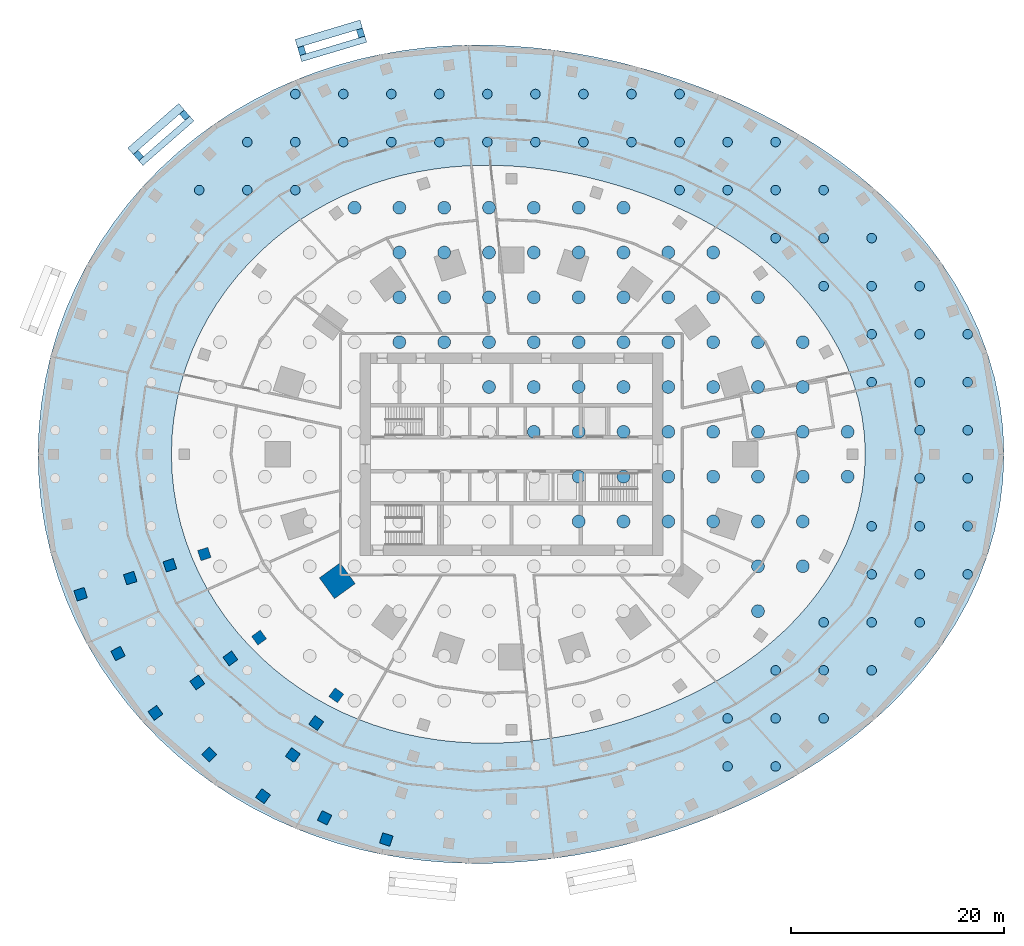
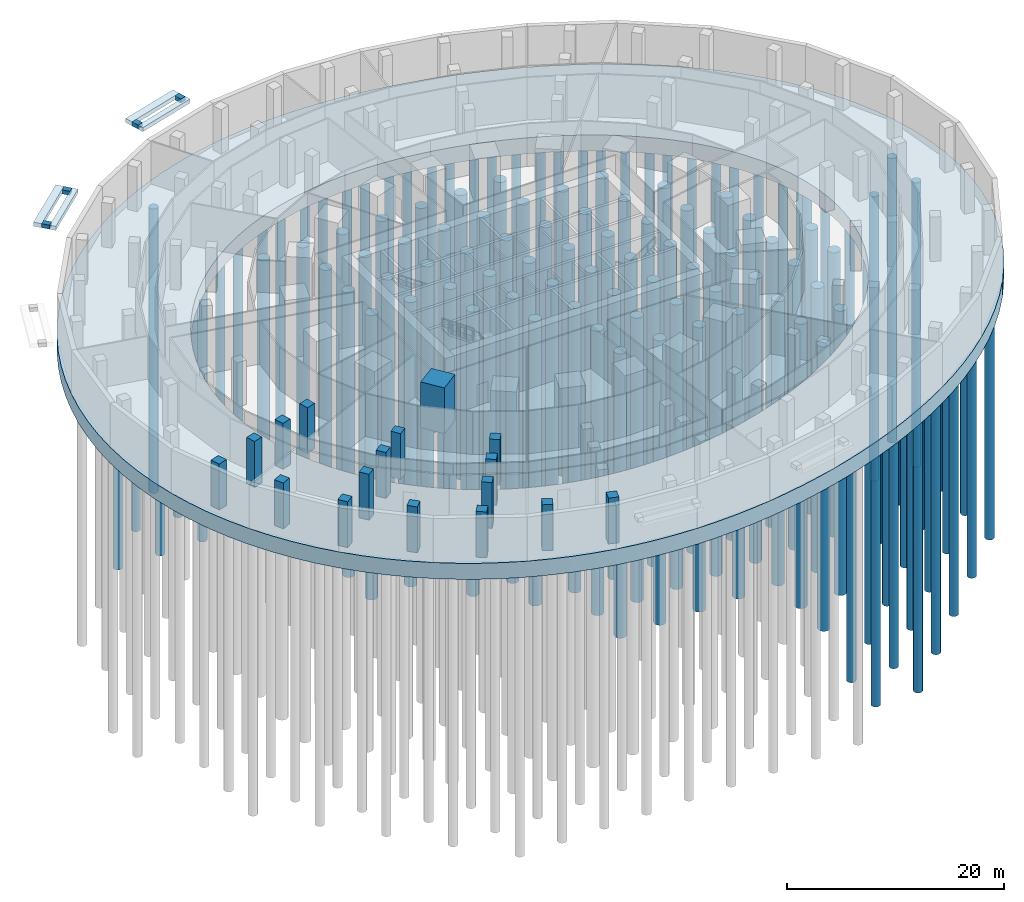
# One storey, part 2 of 11: 127 piles, 17 columns, 9 footings.
"""IFC4 building model written with IfcOpenShell, lengths in metres."""

from ifc_helpers import new_model, si_unit, direction, frame, origin, origin_2d, place, context, subcontext, project, spatial, polyline, rectangle, circle, outline, extrude, material, layer, layer_set, material_profile, profile_set, type_object, element, save


model = new_model("IFC4")

# Units and contexts
model_context = context("Model", 3, precision=1e-05, world=origin(), true_north=direction((0.0, 1.0)))
body_context = subcontext(model_context, "Body", "Model", "MODEL_VIEW")
ifc_project = project(units=[si_unit("LENGTHUNIT", "METRE"), si_unit("AREAUNIT", "SQUARE_METRE"), si_unit("VOLUMEUNIT", "CUBIC_METRE"), si_unit("PLANEANGLEUNIT", "RADIAN"), si_unit("MASSUNIT", "GRAM", prefix="KILO")], contexts=[model_context])

# Site, building, storey
site_placement = place(None, origin())
site = spatial("IfcSite", under=ifc_project, at=site_placement, CompositionType="ELEMENT")
building_placement = place(site_placement, origin())
building = spatial("IfcBuilding", under=site, at=building_placement, Name="Marramba Exchange Tower", CompositionType="ELEMENT")
storey_placement = place(building_placement, frame((0.0, 0.0, -5.0)))
storey = spatial("IfcBuildingStorey", under=building, at=storey_placement, Name="B1", CompositionType="ELEMENT", Elevation=-5.0)

# Piles
ifc_material_1 = material(Name="Concrete N50", Category="concrete")
ifc_material_profile_1 = material_profile(ifc_material_1, circle(Radius=0.60009765625, at=origin_2d()), Name="BP D1200")
ifc_profile_set_1 = profile_set([ifc_material_profile_1], Name="Concrete N50")
pile_type_1 = type_object("IfcPileType", Name="Bored pile D1200", PredefinedType="BORED", material=ifc_profile_set_1)
for number, where, z_axis, x_axis, name in (
    (1, (-14.699951171875, 23.10009765625, -3.14990234375), (0.0, 0.0, -1.0), (1.0, 0.0, 0.0), "Pile T036"),
    (2, (-10.5, 10.5, -3.14990234375), (0.0, 0.0, -1.0), (1.0, 0.0, 0.0), "Pile T045"),
    (3, (-10.5, 14.699951171875, -3.14990234375), (0.0, 0.0, -1.0), (1.0, 0.0, 0.0), "Pile T046"),
    (4, (-10.5, 18.89990234375, -3.14990234375), (0.0, 0.0, -1.0), (1.0, 0.0, 0.0), "Pile T047"),
    (5, (-10.5, 23.10009765625, -3.14990234375), (0.0, 0.0, -1.0), (1.0, 0.0, 0.0), "Pile T048"),
    (6, (-6.300048828125, 10.5, -3.14990234375), (0.0, 0.0, -1.0), (1.0, 0.0, 0.0), "Pile T057"),
    (7, (-6.300048828125, 14.699951171875, -3.14990234375), (0.0, 0.0, -1.0), (1.0, 0.0, 0.0), "Pile T058"),
    (8, (-6.300048828125, 18.89990234375, -3.14990234375), (0.0, 0.0, -1.0), (1.0, 0.0, 0.0), "Pile T059"),
    (9, (-6.300048828125, 23.10009765625, -3.14990234375), (0.0, 0.0, -1.0), (1.0, 0.0, 0.0), "Pile T060"),
    (10, (-2.10009765625, 6.300048828125, -3.14990234375), (0.0, 0.0, -1.0), (1.0, 0.0, 0.0), "Pile T068"),
    (11, (-2.10009765625, 10.5, -3.14990234375), (0.0, 0.0, -1.0), (1.0, 0.0, 0.0), "Pile T069"),
    (12, (-2.10009765625, 14.699951171875, -3.14990234375), (0.0, 0.0, -1.0), (1.0, 0.0, 0.0), "Pile T070"),
    (13, (-2.10009765625, 18.89990234375, -3.14990234375), (0.0, 0.0, -1.0), (1.0, 0.0, 0.0), "Pile T071"),
    (14, (-2.10009765625, 23.10009765625, -3.14990234375), (0.0, 0.0, -1.0), (1.0, 0.0, 0.0), "Pile T072"),
    (15, (2.10009765625, 2.10009765625, -3.14990234375), (0.0, 0.0, -1.0), (1.0, 0.0, 0.0), "Pile T079"),
    (16, (2.10009765625, 6.300048828125, -3.14990234375), (0.0, 0.0, -1.0), (1.0, 0.0, 0.0), "Pile T080"),
    (17, (2.10009765625, 10.5, -3.14990234375), (0.0, 0.0, -1.0), (1.0, 0.0, 0.0), "Pile T081"),
    (18, (2.10009765625, 14.699951171875, -3.14990234375), (0.0, 0.0, -1.0), (1.0, 0.0, 0.0), "Pile T082"),
    (19, (2.10009765625, 18.89990234375, -3.14990234375), (0.0, 0.0, -1.0), (1.0, 0.0, 0.0), "Pile T083"),
    (20, (2.10009765625, 23.10009765625, -3.14990234375), (0.0, 0.0, -1.0), (1.0, 0.0, 0.0), "Pile T084"),
    (21, (6.300048828125, -6.300048828125, -3.14990234375), (0.0, 0.0, -1.0), (1.0, 0.0, 0.0), "Pile T089"),
    (22, (6.300048828125, -2.10009765625, -3.14990234375), (0.0, 0.0, -1.0), (1.0, 0.0, 0.0), "Pile T090"),
    (23, (6.300048828125, 2.10009765625, -3.14990234375), (0.0, 0.0, -1.0), (1.0, 0.0, 0.0), "Pile T091"),
    (24, (6.300048828125, 6.300048828125, -3.14990234375), (0.0, 0.0, -1.0), (1.0, 0.0, 0.0), "Pile T092"),
    (25, (6.300048828125, 10.5, -3.14990234375), (0.0, 0.0, -1.0), (1.0, 0.0, 0.0), "Pile T093"),
    (26, (6.300048828125, 14.699951171875, -3.14990234375), (0.0, 0.0, -1.0), (1.0, 0.0, 0.0), "Pile T094"),
    (27, (6.300048828125, 18.89990234375, -3.14990234375), (0.0, 0.0, -1.0), (1.0, 0.0, 0.0), "Pile T095"),
    (28, (6.300048828125, 23.10009765625, -3.14990234375), (0.0, 0.0, -1.0), (1.0, 0.0, 0.0), "Pile T096"),
    (29, (10.5, -6.300048828125, -3.14990234375), (0.0, 0.0, -1.0), (1.0, 0.0, 0.0), "Pile T101"),
    (30, (10.5, -2.10009765625, -3.14990234375), (0.0, 0.0, -1.0), (1.0, 0.0, 0.0), "Pile T102"),
    (31, (10.5, 2.10009765625, -3.14990234375), (0.0, 0.0, -1.0), (1.0, 0.0, 0.0), "Pile T103"),
    (32, (10.5, 6.300048828125, -3.14990234375), (0.0, 0.0, -1.0), (1.0, 0.0, 0.0), "Pile T104"),
    (33, (10.5, 10.5, -3.14990234375), (0.0, 0.0, -1.0), (1.0, 0.0, 0.0), "Pile T105"),
    (34, (10.5, 14.699951171875, -3.14990234375), (0.0, 0.0, -1.0), (1.0, 0.0, 0.0), "Pile T106"),
    (35, (10.5, 18.89990234375, -3.14990234375), (0.0, 0.0, -1.0), (1.0, 0.0, 0.0), "Pile T107"),
    (36, (10.5, 23.10009765625, -3.14990234375), (0.0, 0.0, -1.0), (1.0, 0.0, 0.0), "Pile T108"),
    (37, (14.699951171875, -6.300048828125, -3.14990234375), (0.0, 0.0, -1.0), (1.0, 0.0, 0.0), "Pile T112"),
    (38, (14.699951171875, -2.10009765625, -3.14990234375), (0.0, 0.0, -1.0), (1.0, 0.0, 0.0), "Pile T113"),
    (39, (14.699951171875, 2.10009765625, -3.14990234375), (0.0, 0.0, -1.0), (1.0, 0.0, 0.0), "Pile T114"),
    (40, (14.699951171875, 6.300048828125, -3.14990234375), (0.0, 0.0, -1.0), (1.0, 0.0, 0.0), "Pile T115"),
    (41, (14.699951171875, 10.5, -3.14990234375), (0.0, 0.0, -1.0), (1.0, 0.0, 0.0), "Pile T116"),
    (42, (14.699951171875, 14.699951171875, -3.14990234375), (0.0, 0.0, -1.0), (1.0, 0.0, 0.0), "Pile T117"),
    (43, (14.699951171875, 18.89990234375, -3.14990234375), (0.0, 0.0, -1.0), (1.0, 0.0, 0.0), "Pile T118"),
    (44, (18.89990234375, -6.300048828125, -3.14990234375), (0.0, 0.0, -1.0), (1.0, 0.0, 0.0), "Pile T122"),
    (45, (18.89990234375, -2.10009765625, -3.14990234375), (0.0, 0.0, -1.0), (1.0, 0.0, 0.0), "Pile T123"),
    (46, (18.89990234375, 2.10009765625, -3.14990234375), (0.0, 0.0, -1.0), (1.0, 0.0, 0.0), "Pile T124"),
    (47, (18.89990234375, 6.300048828125, -3.14990234375), (0.0, 0.0, -1.0), (1.0, 0.0, 0.0), "Pile T125"),
    (48, (18.89990234375, 10.5, -3.14990234375), (0.0, 0.0, -1.0), (1.0, 0.0, 0.0), "Pile T126"),
    (49, (18.89990234375, 14.699951171875, -3.14990234375), (0.0, 0.0, -1.0), (1.0, 0.0, 0.0), "Pile T127"),
    (50, (18.89990234375, 18.89990234375, -3.14990234375), (0.0, 0.0, -1.0), (1.0, 0.0, 0.0), "Pile T128"),
    (51, (23.10009765625, -14.699951171875, -3.14990234375), (0.0, 0.0, -1.0), (1.0, 0.0, 0.0), "Pile T129"),
    (52, (23.10009765625, -10.5, -3.14990234375), (0.0, 0.0, -1.0), (1.0, 0.0, 0.0), "Pile T130"),
    (53, (23.10009765625, -6.300048828125, -3.14990234375), (0.0, 0.0, -1.0), (1.0, 0.0, 0.0), "Pile T131"),
    (54, (23.10009765625, -2.10009765625, -3.14990234375), (0.0, 0.0, -1.0), (1.0, 0.0, 0.0), "Pile T132"),
    (55, (23.10009765625, 2.10009765625, -3.14990234375), (0.0, 0.0, -1.0), (1.0, 0.0, 0.0), "Pile T133"),
    (56, (23.10009765625, 6.300048828125, -3.14990234375), (0.0, 0.0, -1.0), (1.0, 0.0, 0.0), "Pile T134"),
    (57, (23.10009765625, 10.5, -3.14990234375), (0.0, 0.0, -1.0), (1.0, 0.0, 0.0), "Pile T135"),
    (58, (23.10009765625, 14.699951171875, -3.14990234375), (0.0, 0.0, -1.0), (1.0, 0.0, 0.0), "Pile T136"),
    (59, (27.300048828125, -10.5, -3.14990234375), (0.0, 0.0, -1.0), (1.0, 0.0, 0.0), "Pile T137"),
    (60, (27.300048828125, -6.300048828125, -3.14990234375), (0.0, 0.0, -1.0), (1.0, 0.0, 0.0), "Pile T138"),
    (61, (27.300048828125, -2.10009765625, -3.14990234375), (0.0, 0.0, -1.0), (1.0, 0.0, 0.0), "Pile T139"),
    (62, (27.300048828125, 2.10009765625, -3.14990234375), (0.0, 0.0, -1.0), (1.0, 0.0, 0.0), "Pile T140"),
    (63, (27.300048828125, 6.300048828125, -3.14990234375), (0.0, 0.0, -1.0), (1.0, 0.0, 0.0), "Pile T141"),
    (64, (27.300048828125, 10.5, -3.14990234375), (0.0, 0.0, -1.0), (1.0, 0.0, 0.0), "Pile T142"),
    (65, (31.5, -2.10009765625, -3.14990234375), (0.0, 0.0, -1.0), (1.0, 0.0, 0.0), "Pile T143"),
    (66, (31.5, 2.10009765625, -3.14990234375), (0.0, 0.0, -1.0), (1.0, 0.0, 0.0), "Pile T144"),
):
    element("IfcPile", number, at=place(storey_placement, frame(where, z_axis=z_axis, x_axis=x_axis)), inside=storey, type_object=pile_type_1, Name=name, PredefinedType="BORED", context=body_context, shape_type="SweptSolid", body=[
        extrude(circle(Radius=0.60009765625, at=origin_2d()), origin(), (0.0, 0.0, 1.0), 32.0),
    ])
ifc_material_profile_2 = material_profile(ifc_material_1, circle(Radius=0.449951171875, at=origin_2d()), Name="BP D900")
ifc_profile_set_2 = profile_set([ifc_material_profile_2], Name="Concrete N50")
pile_type_2 = type_object("IfcPileType", Name="Bored pile D900", PredefinedType="BORED", material=ifc_profile_set_2)
for number, where, z_axis, x_axis, name in (
    (67, (-29.25, 24.75, -1.949951171875), (0.0, 0.0, -1.0), (1.0, 0.0, 0.0), "Pile P026"),
    (68, (-24.75, 24.75, -1.949951171875), (0.0, 0.0, -1.0), (1.0, 0.0, 0.0), "Pile P031"),
    (69, (-24.75, 29.25, -1.949951171875), (0.0, 0.0, -1.0), (1.0, 0.0, 0.0), "Pile P032"),
    (70, (-20.25, 24.75, -1.949951171875), (0.0, 0.0, -1.0), (1.0, 0.0, 0.0), "Pile P036"),
    (71, (-20.25, 29.25, -1.949951171875), (0.0, 0.0, -1.0), (1.0, 0.0, 0.0), "Pile P037"),
    (72, (-20.25, 33.75, -1.949951171875), (0.0, 0.0, -1.0), (1.0, 0.0, 0.0), "Pile P038"),
    (73, (-15.75, 29.25, -1.949951171875), (0.0, 0.0, -1.0), (1.0, 0.0, 0.0), "Pile P041"),
    (74, (-15.75, 33.75, -1.949951171875), (0.0, 0.0, -1.0), (1.0, 0.0, 0.0), "Pile P042"),
    (75, (-11.25, 29.25, -1.949951171875), (0.0, 0.0, -1.0), (1.0, 0.0, 0.0), "Pile P045"),
    (76, (-11.25, 33.75, -1.949951171875), (0.0, 0.0, -1.0), (1.0, 0.0, 0.0), "Pile P046"),
    (77, (-6.75, 29.25, -1.949951171875), (0.0, 0.0, -1.0), (1.0, 0.0, 0.0), "Pile P049"),
    (78, (-6.75, 33.75, -1.949951171875), (0.0, 0.0, -1.0), (1.0, 0.0, 0.0), "Pile P050"),
    (79, (-2.25, 29.25, -1.949951171875), (0.0, 0.0, -1.0), (1.0, 0.0, 0.0), "Pile P053"),
    (80, (-2.25, 33.75, -1.949951171875), (0.0, 0.0, -1.0), (1.0, 0.0, 0.0), "Pile P054"),
    (81, (2.25, 29.25, -1.949951171875), (0.0, 0.0, -1.0), (1.0, 0.0, 0.0), "Pile P057"),
    (82, (2.25, 33.75, -1.949951171875), (0.0, 0.0, -1.0), (1.0, 0.0, 0.0), "Pile P058"),
    (83, (6.75, 29.25, -1.949951171875), (0.0, 0.0, -1.0), (1.0, 0.0, 0.0), "Pile P061"),
    (84, (6.75, 33.75, -1.949951171875), (0.0, 0.0, -1.0), (1.0, 0.0, 0.0), "Pile P062"),
    (85, (11.25, 29.25, -1.949951171875), (0.0, 0.0, -1.0), (1.0, 0.0, 0.0), "Pile P065"),
    (86, (11.25, 33.75, -1.949951171875), (0.0, 0.0, -1.0), (1.0, 0.0, 0.0), "Pile P066"),
    (87, (15.75, 24.75, -1.949951171875), (0.0, 0.0, -1.0), (1.0, 0.0, 0.0), "Pile P070"),
    (88, (15.75, 29.25, -1.949951171875), (0.0, 0.0, -1.0), (1.0, 0.0, 0.0), "Pile P071"),
    (89, (15.75, 33.75, -1.949951171875), (0.0, 0.0, -1.0), (1.0, 0.0, 0.0), "Pile P072"),
    (90, (20.25, -29.25, -1.949951171875), (0.0, 0.0, -1.0), (1.0, 0.0, 0.0), "Pile P073"),
    (91, (20.25, -24.75, -1.949951171875), (0.0, 0.0, -1.0), (1.0, 0.0, 0.0), "Pile P074"),
    (92, (20.25, 24.75, -1.949951171875), (0.0, 0.0, -1.0), (1.0, 0.0, 0.0), "Pile P075"),
    (93, (20.25, 29.25, -1.949951171875), (0.0, 0.0, -1.0), (1.0, 0.0, 0.0), "Pile P076"),
    (94, (24.75, -29.25, -1.949951171875), (0.0, 0.0, -1.0), (1.0, 0.0, 0.0), "Pile P077"),
    (95, (24.75, -24.75, -1.949951171875), (0.0, 0.0, -1.0), (1.0, 0.0, 0.0), "Pile P078"),
    (96, (24.75, -20.25, -1.949951171875), (0.0, 0.0, -1.0), (1.0, 0.0, 0.0), "Pile P079"),
    (97, (24.75, 20.25, -1.949951171875), (0.0, 0.0, -1.0), (1.0, 0.0, 0.0), "Pile P080"),
    (98, (24.75, 24.75, -1.949951171875), (0.0, 0.0, -1.0), (1.0, 0.0, 0.0), "Pile P081"),
    (99, (24.75, 29.25, -1.949951171875), (0.0, 0.0, -1.0), (1.0, 0.0, 0.0), "Pile P082"),
    (100, (29.25, -24.75, -1.949951171875), (0.0, 0.0, -1.0), (1.0, 0.0, 0.0), "Pile P083"),
    (101, (29.25, -20.25, -1.949951171875), (0.0, 0.0, -1.0), (1.0, 0.0, 0.0), "Pile P084"),
    (102, (29.25, -15.75, -1.949951171875), (0.0, 0.0, -1.0), (1.0, 0.0, 0.0), "Pile P085"),
    (103, (29.25, 15.75, -1.949951171875), (0.0, 0.0, -1.0), (1.0, 0.0, 0.0), "Pile P086"),
    (104, (29.25, 20.25, -1.949951171875), (0.0, 0.0, -1.0), (1.0, 0.0, 0.0), "Pile P087"),
    (105, (29.25, 24.75, -1.949951171875), (0.0, 0.0, -1.0), (1.0, 0.0, 0.0), "Pile P088"),
    (106, (33.75, -20.25, -1.949951171875), (0.0, 0.0, -1.0), (1.0, 0.0, 0.0), "Pile P089"),
    (107, (33.75, -15.75, -1.949951171875), (0.0, 0.0, -1.0), (1.0, 0.0, 0.0), "Pile P090"),
    (108, (33.75, -11.25, -1.949951171875), (0.0, 0.0, -1.0), (1.0, 0.0, 0.0), "Pile P091"),
    (109, (33.75, -6.75, -1.949951171875), (0.0, 0.0, -1.0), (1.0, 0.0, 0.0), "Pile P092"),
    (110, (33.75, 6.75, -1.949951171875), (0.0, 0.0, -1.0), (1.0, 0.0, 0.0), "Pile P093"),
    (111, (33.75, 11.25, -1.949951171875), (0.0, 0.0, -1.0), (1.0, 0.0, 0.0), "Pile P094"),
    (112, (33.75, 15.75, -1.949951171875), (0.0, 0.0, -1.0), (1.0, 0.0, 0.0), "Pile P095"),
    (113, (33.75, 20.25, -1.949951171875), (0.0, 0.0, -1.0), (1.0, 0.0, 0.0), "Pile P096"),
    (114, (38.25, -15.75, -1.949951171875), (0.0, 0.0, -1.0), (1.0, 0.0, 0.0), "Pile P097"),
    (115, (38.25, -11.25, -1.949951171875), (0.0, 0.0, -1.0), (1.0, 0.0, 0.0), "Pile P098"),
    (116, (38.25, -6.75, -1.949951171875), (0.0, 0.0, -1.0), (1.0, 0.0, 0.0), "Pile P099"),
    (117, (38.25, -2.25, -1.949951171875), (0.0, 0.0, -1.0), (1.0, 0.0, 0.0), "Pile P100"),
    (118, (38.25, 2.25, -1.949951171875), (0.0, 0.0, -1.0), (1.0, 0.0, 0.0), "Pile P101"),
    (119, (38.25, 6.75, -1.949951171875), (0.0, 0.0, -1.0), (1.0, 0.0, 0.0), "Pile P102"),
    (120, (38.25, 11.25, -1.949951171875), (0.0, 0.0, -1.0), (1.0, 0.0, 0.0), "Pile P103"),
    (121, (38.25, 15.75, -1.949951171875), (0.0, 0.0, -1.0), (1.0, 0.0, 0.0), "Pile P104"),
    (122, (42.75, -11.25, -1.949951171875), (0.0, 0.0, -1.0), (1.0, 0.0, 0.0), "Pile P105"),
    (123, (42.75, -6.75, -1.949951171875), (0.0, 0.0, -1.0), (1.0, 0.0, 0.0), "Pile P106"),
    (124, (42.75, -2.25, -1.949951171875), (0.0, 0.0, -1.0), (1.0, 0.0, 0.0), "Pile P107"),
    (125, (42.75, 2.25, -1.949951171875), (0.0, 0.0, -1.0), (1.0, 0.0, 0.0), "Pile P108"),
    (126, (42.75, 6.75, -1.949951171875), (0.0, 0.0, -1.0), (1.0, 0.0, 0.0), "Pile P109"),
    (127, (42.75, 11.25, -1.949951171875), (0.0, 0.0, -1.0), (1.0, 0.0, 0.0), "Pile P110"),
):
    element("IfcPile", number, at=place(storey_placement, frame(where, z_axis=z_axis, x_axis=x_axis)), inside=storey, type_object=pile_type_2, Name=name, PredefinedType="BORED", context=body_context, shape_type="SweptSolid", body=[
        extrude(circle(Radius=0.449951171875, at=origin_2d()), origin(), (0.0, 0.0, 1.0), 32.0),
    ])

# Footings
ifc_material_2 = material(Name="Concrete N32 (32 MPa)", Category="concrete")
footing_type_1 = type_object("IfcFootingType", Name="Planter strip footing 600x450", PredefinedType="STRIP_FOOTING", material=ifc_material_2)
footing_1_placement = place(storey_placement, frame((0.0, 0.0, 4.39990234375)))
element("IfcFooting", 128, at=footing_1_placement, inside=storey, type_object=footing_type_1, Name="Strip footing SF1 planter P1 in", PredefinedType="STRIP_FOOTING", context=body_context, shape_type="SweptSolid", body=[
    extrude(outline(polyline([(-13.56005859375, 38.60205078125), (-19.6435546875, 36.781494140625), (-19.8154296875, 37.3564453125), (-13.73193359375, 39.177001953125), (-13.56005859375, 38.60205078125)])), origin(), (0.0, 0.0, 1.0), 0.4501953125),
])
footing_2_placement = place(storey_placement, frame((0.0, 0.0, 4.39990234375)))
element("IfcFooting", 129, at=footing_2_placement, inside=storey, type_object=footing_type_1, Name="Strip footing SF1 planter P1 e0", PredefinedType="STRIP_FOOTING", context=body_context, shape_type="SweptSolid", body=[
    extrude(outline(polyline([(-13.73193359375, 39.177001953125), (-14.306884765625, 39.0048828125), (-14.529052734375, 39.747314453125), (-13.954345703125, 39.91943359375), (-13.73193359375, 39.177001953125)])), origin(), (0.0, 0.0, 1.0), 0.4501953125),
])
footing_3_placement = place(storey_placement, frame((0.0, 0.0, 4.39990234375)))
element("IfcFooting", 130, at=footing_3_placement, inside=storey, type_object=footing_type_1, Name="Strip footing SF1 planter P1 e1", PredefinedType="STRIP_FOOTING", context=body_context, shape_type="SweptSolid", body=[
    extrude(outline(polyline([(-19.24072265625, 37.5283203125), (-19.8154296875, 37.3564453125), (-20.03759765625, 38.098876953125), (-19.462890625, 38.270751953125), (-19.24072265625, 37.5283203125)])), origin(), (0.0, 0.0, 1.0), 0.4501953125),
])
footing_4_placement = place(storey_placement, frame((0.0, 0.0, 4.39990234375)))
element("IfcFooting", 131, at=footing_4_placement, inside=storey, type_object=footing_type_1, Name="Strip footing SF1 planter P2 in", PredefinedType="STRIP_FOOTING", context=body_context, shape_type="SweptSolid", body=[
    extrude(outline(polyline([(-29.74267578125, 31.225341796875), (-34.526123046875, 27.04931640625), (-34.9208984375, 27.501220703125), (-30.13720703125, 31.67724609375), (-29.74267578125, 31.225341796875)])), origin(), (0.0, 0.0, 1.0), 0.4501953125),
])
footing_5_placement = place(storey_placement, frame((0.0, 0.0, 4.39990234375)))
element("IfcFooting", 132, at=footing_5_placement, inside=storey, type_object=footing_type_1, Name="Strip footing SF1 planter P2 e0", PredefinedType="STRIP_FOOTING", context=body_context, shape_type="SweptSolid", body=[
    extrude(outline(polyline([(-30.13720703125, 31.67724609375), (-30.58935546875, 31.28271484375), (-31.098876953125, 31.866455078125), (-30.64697265625, 32.26123046875), (-30.13720703125, 31.67724609375)])), origin(), (0.0, 0.0, 1.0), 0.4501953125),
])
footing_6_placement = place(storey_placement, frame((0.0, 0.0, 4.39990234375)))
element("IfcFooting", 133, at=footing_6_placement, inside=storey, type_object=footing_type_1, Name="Strip footing SF1 planter P2 e1", PredefinedType="STRIP_FOOTING", context=body_context, shape_type="SweptSolid", body=[
    extrude(outline(polyline([(-34.46875, 27.895751953125), (-34.9208984375, 27.501220703125), (-35.430419921875, 28.0849609375), (-34.978515625, 28.4794921875), (-34.46875, 27.895751953125)])), origin(), (0.0, 0.0, 1.0), 0.4501953125),
])
ifc_material_3 = material(Name="Concrete N50 (50 MPa)", Category="concrete")
ifc_layer = layer(ifc_material_3, 1.800048828125)
ifc_layer_set = layer_set([ifc_layer], Name="Concrete N50 (50 MPa)")
footing_type_2 = type_object("IfcFootingType", Name="Podium piled raft 1800", PredefinedType="PILE_CAP", material=ifc_layer_set)
footing_7_placement = place(storey_placement, frame((0.0, 0.0, -1.949951171875)))
element("IfcFooting", 134, at=footing_7_placement, inside=storey, type_object=footing_type_2, Name="Podium piled raft RF2", PredefinedType="PILE_CAP", context=body_context, shape_type="SweptSolid", body=[
    extrude(outline(polyline([(46.14990234375, 0.0), (46.050537109375, 2.413330078125), (45.75341796875, 4.808837890625), (45.263916015625, 7.169189453125), (44.58935546875, 9.477783203125), (43.740478515625, 11.72021484375), (42.729736328125, 13.8837890625), (41.5712890625, 15.957763671875), (40.280517578125, 17.93408203125), (38.872802734375, 19.806640625), (37.364013671875, 21.572265625), (35.76953125, 23.22900390625), (34.103271484375, 24.777587890625), (32.378662109375, 26.2197265625), (30.607421875, 27.55908203125), (28.79931640625, 28.79931640625), (26.963134765625, 29.945556640625), (25.10546875, 31.002685546875), (23.23193359375, 31.97607421875), (21.34619140625, 32.870361328125), (19.450927734375, 33.690185546875), (17.547607421875, 34.439208984375), (15.636962890625, 35.120849609375), (13.71826171875, 35.737548828125), (11.79150390625, 36.29052734375), (9.855224609375, 36.780517578125), (7.90869140625, 37.20703125), (5.950439453125, 37.569580078125), (3.97998046875, 37.865966796875), (1.996337890625, 38.09375), (0.0, 38.25), (-2.0087890625, 38.331298828125), (-4.029052734375, 38.333740234375), (-6.058837890625, 38.25341796875), (-8.095458984375, 38.08642578125), (-10.13623046875, 37.82861328125), (-12.1767578125, 37.476318359375), (-14.212890625, 37.02587890625), (-16.2392578125, 36.47412109375), (-18.250244140625, 35.818359375), (-20.23974609375, 35.056396484375), (-22.201171875, 34.186767578125), (-24.127197265625, 33.208251953125), (-26.0107421875, 32.12060546875), (-27.844482421875, 30.92431640625), (-29.62060546875, 29.62060546875), (-31.3310546875, 28.210693359375), (-32.968505859375, 26.697509765625), (-34.52490234375, 25.083984375), (-35.99267578125, 23.3740234375), (-37.364013671875, 21.572265625), (-38.6318359375, 19.683837890625), (-39.788330078125, 17.71484375), (-40.827392578125, 15.672119140625), (-41.742431640625, 13.56298828125), (-42.52734375, 11.395263671875), (-43.17724609375, 9.177490234375), (-43.6875, 6.91943359375), (-44.0546875, 4.63037109375), (-44.276123046875, 2.3203125), (-44.35009765625, 0.0), (-44.276123046875, -2.3203125), (-44.0546875, -4.63037109375), (-43.6875, -6.91943359375), (-43.17724609375, -9.177490234375), (-42.52734375, -11.395263671875), (-41.742431640625, -13.56298828125), (-40.827392578125, -15.672119140625), (-39.788330078125, -17.71484375), (-38.6318359375, -19.683837890625), (-37.364013671875, -21.572265625), (-35.99267578125, -23.3740234375), (-34.52490234375, -25.083984375), (-32.968505859375, -26.697509765625), (-31.3310546875, -28.210693359375), (-29.62060546875, -29.62060546875), (-27.844482421875, -30.92431640625), (-26.0107421875, -32.12060546875), (-24.127197265625, -33.208251953125), (-22.201171875, -34.186767578125), (-20.23974609375, -35.056396484375), (-18.250244140625, -35.818359375), (-16.2392578125, -36.47412109375), (-14.212890625, -37.02587890625), (-12.1767578125, -37.476318359375), (-10.13623046875, -37.82861328125), (-8.095458984375, -38.08642578125), (-6.058837890625, -38.25341796875), (-4.029052734375, -38.333740234375), (-2.0087890625, -38.331298828125), (0.0, -38.25), (1.996337890625, -38.09375), (3.97998046875, -37.865966796875), (5.950439453125, -37.569580078125), (7.90869140625, -37.20703125), (9.855224609375, -36.780517578125), (11.79150390625, -36.29052734375), (13.71826171875, -35.737548828125), (15.636962890625, -35.120849609375), (17.547607421875, -34.439208984375), (19.450927734375, -33.690185546875), (21.34619140625, -32.870361328125), (23.23193359375, -31.97607421875), (25.10546875, -31.002685546875), (26.963134765625, -29.945556640625), (28.79931640625, -28.79931640625), (30.607421875, -27.55908203125), (32.378662109375, -26.2197265625), (34.103271484375, -24.777587890625), (35.76953125, -23.22900390625), (37.364013671875, -21.572265625), (38.872802734375, -19.806640625), (40.280517578125, -17.93408203125), (41.5712890625, -15.957763671875), (42.729736328125, -13.8837890625), (43.740478515625, -11.72021484375), (44.58935546875, -9.477783203125), (45.263916015625, -7.169189453125), (45.75341796875, -4.808837890625), (46.050537109375, -2.413330078125), (46.14990234375, 0.0)]), holes=[polyline([(33.14990234375, 0.0), (33.076171875, 1.7333984375), (32.856201171875, 3.453369140625), (32.493896484375, 5.146484375), (31.9951171875, 6.80078125), (31.368408203125, 8.405029296875), (30.623291015625, 9.9501953125), (29.770751953125, 11.427978515625), (28.82275390625, 12.832763671875), (27.791015625, 14.16015625), (26.68798828125, 15.408447265625), (25.525146484375, 16.576171875), (24.31298828125, 17.66455078125), (23.061767578125, 18.675048828125), (21.77978515625, 19.610595703125), (20.474365234375, 20.474365234375), (19.152099609375, 21.2705078125), (17.81787109375, 22.003173828125), (16.47509765625, 22.676025390625), (15.126708984375, 23.29296875), (13.774169921875, 23.857666015625), (12.418701171875, 24.373046875), (11.06005859375, 24.841552734375), (9.698486328125, 25.26513671875), (8.332763671875, 25.645263671875), (6.9619140625, 25.982177734375), (5.585205078125, 26.276123046875), (4.201416015625, 26.526123046875), (2.8095703125, 26.7314453125), (1.4091796875, 26.89013671875), (0.0, 27.0), (-1.418212890625, 27.058837890625), (-2.844482421875, 27.06396484375), (-4.2783203125, 27.01220703125), (-5.718017578125, 26.901123046875), (-7.16162109375, 26.7275390625), (-8.606689453125, 26.48876953125), (-10.05029296875, 26.18212890625), (-11.489013671875, 25.804931640625), (-12.919189453125, 25.355224609375), (-14.33642578125, 24.831298828125), (-15.736328125, 24.231689453125), (-17.114013671875, 23.555419921875), (-18.46435546875, 22.801513671875), (-19.7822265625, 21.97021484375), (-21.061767578125, 21.061767578125), (-22.2978515625, 20.0771484375), (-23.484375, 19.017333984375), (-24.615478515625, 17.88427734375), (-25.685302734375, 16.68017578125), (-26.68798828125, 15.408447265625), (-27.61767578125, 14.072021484375), (-28.468505859375, 12.675048828125), (-29.23486328125, 11.22216796875), (-29.91162109375, 9.71875), (-30.49365234375, 8.170654296875), (-30.976318359375, 6.584228515625), (-31.356201171875, 4.96630859375), (-31.629638671875, 3.324462890625), (-31.794921875, 1.666259765625), (-31.85009765625, 0.0), (-31.794921875, -1.666259765625), (-31.629638671875, -3.324462890625), (-31.356201171875, -4.96630859375), (-30.976318359375, -6.584228515625), (-30.49365234375, -8.170654296875), (-29.91162109375, -9.71875), (-29.23486328125, -11.22216796875), (-28.468505859375, -12.675048828125), (-27.61767578125, -14.072021484375), (-26.68798828125, -15.408447265625), (-25.685302734375, -16.68017578125), (-24.615478515625, -17.88427734375), (-23.484375, -19.017333984375), (-22.2978515625, -20.0771484375), (-21.061767578125, -21.061767578125), (-19.7822265625, -21.97021484375), (-18.46435546875, -22.801513671875), (-17.114013671875, -23.555419921875), (-15.736328125, -24.231689453125), (-14.33642578125, -24.831298828125), (-12.919189453125, -25.355224609375), (-11.489013671875, -25.804931640625), (-10.05029296875, -26.18212890625), (-8.606689453125, -26.48876953125), (-7.16162109375, -26.7275390625), (-5.718017578125, -26.901123046875), (-4.2783203125, -27.01220703125), (-2.844482421875, -27.06396484375), (-1.418212890625, -27.058837890625), (0.0, -27.0), (1.4091796875, -26.89013671875), (2.8095703125, -26.7314453125), (4.201416015625, -26.526123046875), (5.585205078125, -26.276123046875), (6.9619140625, -25.982177734375), (8.332763671875, -25.645263671875), (9.698486328125, -25.26513671875), (11.06005859375, -24.841552734375), (12.418701171875, -24.373046875), (13.774169921875, -23.857666015625), (15.126708984375, -23.29296875), (16.47509765625, -22.676025390625), (17.81787109375, -22.003173828125), (19.152099609375, -21.2705078125), (20.474365234375, -20.474365234375), (21.77978515625, -19.610595703125), (23.061767578125, -18.675048828125), (24.31298828125, -17.66455078125), (25.525146484375, -16.576171875), (26.68798828125, -15.408447265625), (27.791015625, -14.16015625), (28.82275390625, -12.832763671875), (29.770751953125, -11.427978515625), (30.623291015625, -9.9501953125), (31.368408203125, -8.405029296875), (31.9951171875, -6.80078125), (32.493896484375, -5.146484375), (32.856201171875, -3.453369140625), (33.076171875, -1.7333984375), (33.14990234375, 0.0)])]), origin(), (0.0, 0.0, 1.0), 1.800048828125),
])
footing_type_3 = type_object("IfcFootingType", Name="Seat wall strip footing 800x450", PredefinedType="STRIP_FOOTING", material=ifc_material_2)
footing_8_placement = place(storey_placement, frame((0.0, 0.0, 4.39990234375)))
element("IfcFooting", 135, at=footing_8_placement, inside=storey, type_object=footing_type_3, Name="Strip footing SF2 planter P1 out", PredefinedType="STRIP_FOOTING", context=body_context, shape_type="SweptSolid", body=[
    extrude(outline(polyline([(-13.954345703125, 39.91943359375), (-20.03759765625, 38.098876953125), (-20.26708984375, 38.865234375), (-14.18359375, 40.685791015625), (-13.954345703125, 39.91943359375)])), origin(), (0.0, 0.0, 1.0), 0.4501953125),
])
footing_9_placement = place(storey_placement, frame((0.0, 0.0, 4.39990234375)))
element("IfcFooting", 136, at=footing_9_placement, inside=storey, type_object=footing_type_3, Name="Strip footing SF2 planter P2 out", PredefinedType="STRIP_FOOTING", context=body_context, shape_type="SweptSolid", body=[
    extrude(outline(polyline([(-30.64697265625, 32.26123046875), (-35.430419921875, 28.0849609375), (-35.95654296875, 28.687744140625), (-31.173095703125, 32.86376953125), (-30.64697265625, 32.26123046875)])), origin(), (0.0, 0.0, 1.0), 0.4501953125),
])

# Columns
ifc_material_profile_3 = material_profile(ifc_material_1, rectangle(XDim=2.39990234375, YDim=2.39990234375, at=origin_2d()), Name="RC 2400x2400")
ifc_profile_set_3 = profile_set([ifc_material_profile_3], Name="Concrete N50")
column_type_1 = type_object("IfcColumnType", Name="Perimeter column RC 2400x2400 N50", PredefinedType="COLUMN", material=ifc_profile_set_3)
column_placement = place(storey_placement, frame((-16.3154296875, -11.853759765625, -0.14990234375), z_axis=(0.0, 0.0, 1.0), x_axis=(-0.809016994375, -0.587785252292, 0.0)))
element("IfcColumn", 137, at=column_placement, inside=storey, type_object=column_type_1, Name="Column TC13 B1", PredefinedType="COLUMN", context=body_context, shape_type="SweptSolid", body=[
    extrude(rectangle(XDim=2.39990234375, YDim=2.39990234375, at=origin_2d()), origin(), (0.0, 0.0, 1.0), 5.14990234375),
])
ifc_material_profile_4 = material_profile(ifc_material_1, rectangle(XDim=1.0, YDim=1.0, at=origin_2d()), Name="RC 1000x1000")
ifc_profile_set_4 = profile_set([ifc_material_profile_4], Name="Concrete N50")
column_type_2 = type_object("IfcColumnType", Name="Podium column RC 1000x1000 N50", PredefinedType="COLUMN", material=ifc_profile_set_4)
for number, where, z_axis, x_axis, name in (
    (138, (-40.36328125, -13.11474609375, -0.14990234375), (0.0, 0.0, 1.0), (-0.951056516295, -0.309016994375, 0.0), "Column P0C12 B1"),
    (139, (-36.857666015625, -18.67333984375, -0.14990234375), (0.0, 0.0, 1.0), (-0.891006524188, -0.45399049974, 0.0), "Column P0M12 B1"),
    (140, (-33.35205078125, -24.231689453125, -0.14990234375), (0.0, 0.0, 1.0), (-0.809016994375, -0.587785252292, 0.0), "Column P0C13 B1"),
    (141, (-28.3134765625, -28.13330078125, -0.14990234375), (0.0, 0.0, 1.0), (-0.707106781187, -0.707106781187, 0.0), "Column P0M13 B1"),
    (142, (-23.27490234375, -32.03515625, -0.14990234375), (0.0, 0.0, 1.0), (-0.587785252292, -0.809016994375, 0.0), "Column P0C14 B1"),
    (143, (-17.501708984375, -34.066162109375, -0.14990234375), (0.0, 0.0, 1.0), (-0.45399049974, -0.891006524188, 0.0), "Column P0M14 B1"),
    (144, (-11.728759765625, -36.097412109375, -0.14990234375), (0.0, 0.0, 1.0), (-0.309016994375, -0.951056516295, 0.0), "Column P0C15 B1"),
    (145, (-35.712158203125, -11.603515625, -0.14990234375), (0.0, 0.0, 1.0), (-0.951056516295, -0.309016994375, 0.0), "Column P1C12 B1"),
    (146, (-29.430908203125, -21.3828125, -0.14990234375), (0.0, 0.0, 1.0), (-0.809016994375, -0.587785252292, 0.0), "Column P1C13 B1"),
    (147, (-20.482666015625, -28.19189453125, -0.14990234375), (0.0, 0.0, 1.0), (-0.587785252292, -0.809016994375, 0.0), "Column P1C14 B1"),
    (148, (-32.005126953125, -10.399169921875, -0.14990234375), (0.0, 0.0, 1.0), (-0.951056516295, -0.309016994375, 0.0), "Column P2C12 B1"),
    (149, (-26.33203125, -19.13134765625, -0.14990234375), (0.0, 0.0, 1.0), (-0.809016994375, -0.587785252292, 0.0), "Column P2C13 B1"),
    (150, (-18.29443359375, -25.18017578125, -0.14990234375), (0.0, 0.0, 1.0), (-0.587785252292, -0.809016994375, 0.0), "Column P2C14 B1"),
    (151, (-28.770263671875, -9.34814453125, -0.14990234375), (0.0, 0.0, 1.0), (-0.951056516295, -0.309016994375, 0.0), "Column P3C12 B1"),
    (152, (-23.644775390625, -17.178955078125, -0.14990234375), (0.0, 0.0, 1.0), (-0.809016994375, -0.587785252292, 0.0), "Column P3C13 B1"),
    (153, (-16.40869140625, -22.58447265625, -0.14990234375), (0.0, 0.0, 1.0), (-0.587785252292, -0.809016994375, 0.0), "Column P3C14 B1"),
):
    element("IfcColumn", number, at=place(storey_placement, frame(where, z_axis=z_axis, x_axis=x_axis)), inside=storey, type_object=column_type_2, Name=name, PredefinedType="COLUMN", context=body_context, shape_type="SweptSolid", body=[
        extrude(rectangle(XDim=1.0, YDim=1.0, at=origin_2d()), origin(), (0.0, 0.0, 1.0), 5.14990234375),
    ])

save(model, "model.ifc")
